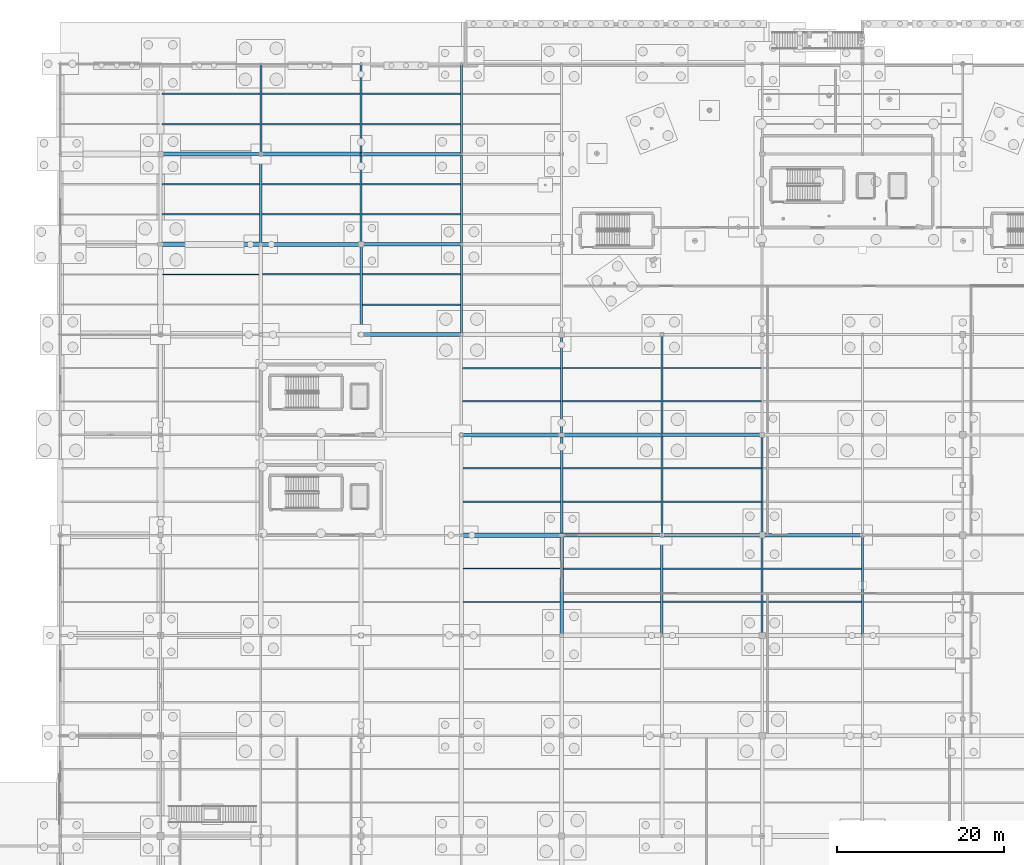
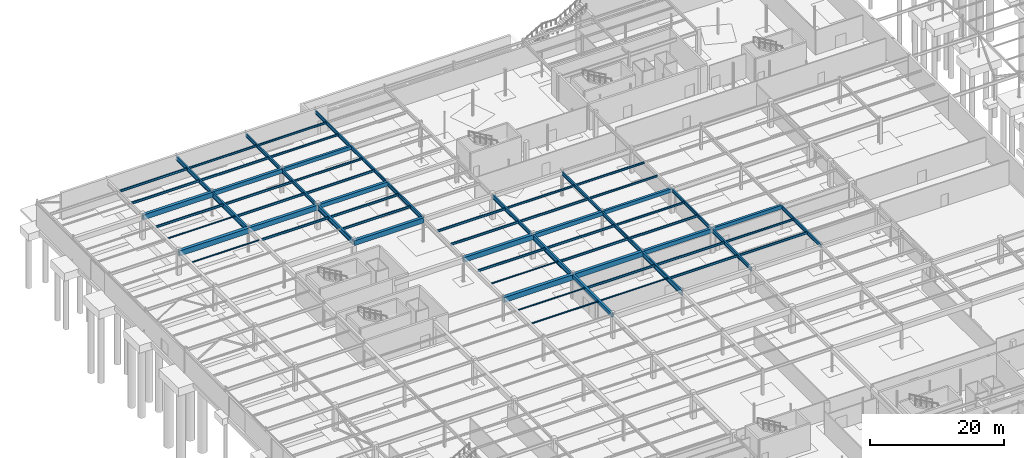
# One storey, part 82 of 136: 67 beams.
"""IFC4 building model written with IfcOpenShell, lengths in metres."""

import ifcopenshell
import ifcopenshell.guid

model = None  # the IFC model being written
_history = None  # IfcOwnerHistory: only IFC2X3 demands one
_inside = {}  # id of a spatial element -> (the spatial element, [elements in it])
_under = {}  # id of a project, library or spatial element -> (it, [spatial elements below it])
_declared = {}  # id of a project -> (the project, [libraries it declares])
_typed = {}  # id of a type object -> (the type object, [elements of that type])
_made_of = {}  # id of a material, layer set ... -> (it, [elements and type objects made of it])


def new_model(schema):
    """Start an empty IFC model of exactly this schema.

    Asked for "IFC4X3", IfcOpenShell would pick the latest addendum, in which some entities
    have other attributes; the version numbers below select the first issue.
    IFC2X3 requires an IfcOwnerHistory on every rooted entity: one is made here for all.
    """
    global model, _history
    if schema == "IFC4X3":
        model = ifcopenshell.file(schema_version=(4, 3, 0, 0))
    else:
        model = ifcopenshell.file(schema=schema)
    _inside.clear()
    _under.clear()
    _declared.clear()
    _typed.clear()
    _made_of.clear()
    _history = None
    if model.schema == "IFC2X3":
        org = make("IfcOrganization", Name="unknown")
        user = make(
            "IfcPersonAndOrganization",
            ThePerson=make("IfcPerson", FamilyName="unknown"),
            TheOrganization=org,
        )
        app = make(
            "IfcApplication",
            ApplicationDeveloper=org,
            Version="unknown",
            ApplicationFullName="unknown",
            ApplicationIdentifier="unknown",
        )
        _history = make(
            "IfcOwnerHistory",
            OwningUser=user,
            OwningApplication=app,
            ChangeAction="ADDED",
            CreationDate=0,
        )
    return model


def make(cls, **values):
    """One entity of the class cls with the attributes given. An attribute that is None is left unset."""
    return model.create_entity(
        cls, **{name: value for name, value in values.items() if value is not None}
    )


def rooted(cls, **values):
    """An entity with a GlobalId (a new one), such as an element, a storey or a relation."""
    return make(cls, GlobalId=ifcopenshell.guid.new(), OwnerHistory=_history, **values)


def si_unit(unit_type, name, prefix=None):
    """IfcSIUnit, for example si_unit("LENGTHUNIT", "METRE", prefix="MILLI")."""
    return make("IfcSIUnit", UnitType=unit_type, Prefix=prefix, Name=name)


def assignment(units):
    """IfcUnitAssignment: the units of a project."""
    return None if units is None else make("IfcUnitAssignment", Units=units)


def point(xyz):
    """IfcCartesianPoint."""
    return None if xyz is None else make("IfcCartesianPoint", Coordinates=xyz)


def direction(xyz):
    """IfcDirection."""
    return None if xyz is None else make("IfcDirection", DirectionRatios=xyz)


def frame(location, z_axis=None, x_axis=None):
    """IfcAxis2Placement3D, a coordinate frame: its origin and axes. An axis left out is left unset."""
    return make(
        "IfcAxis2Placement3D",
        Location=point(location),
        Axis=direction(z_axis),
        RefDirection=direction(x_axis),
    )


def frame_2d(location, x_axis=None):
    """IfcAxis2Placement2D, a coordinate frame in the plane: its origin and x axis."""
    return make(
        "IfcAxis2Placement2D", Location=point(location), RefDirection=direction(x_axis)
    )


def origin():
    """The frame at (0, 0, 0) with its axes left unset."""
    return frame((0.0, 0.0, 0.0))


def origin_2d():
    """The frame at (0, 0) in the plane with its x axis left unset."""
    return frame_2d((0.0, 0.0))


def place(relative_to, where):
    """IfcLocalPlacement: puts the frame where relative to a parent placement (None: the world)."""
    return make(
        "IfcLocalPlacement", PlacementRelTo=relative_to, RelativePlacement=where
    )


def context(
    kind, dimensions, precision=None, world=None, true_north=None, identifier=None
):
    """IfcGeometricRepresentationContext, for example the 3D "Model" context."""
    return make(
        "IfcGeometricRepresentationContext",
        ContextIdentifier=identifier,
        ContextType=kind,
        CoordinateSpaceDimension=dimensions,
        Precision=precision,
        WorldCoordinateSystem=world,
        TrueNorth=true_north,
    )


def subcontext(parent, identifier, kind, view, scale=None):
    """IfcGeometricRepresentationSubContext, for example "Body" below "Model"."""
    return make(
        "IfcGeometricRepresentationSubContext",
        ContextIdentifier=identifier,
        ContextType=kind,
        ParentContext=parent,
        TargetScale=scale,
        TargetView=view,
    )


def project(units=None, contexts=None):
    """IfcProject with its units and contexts."""
    return rooted(
        "IfcProject",
        Name="project",
        RepresentationContexts=contexts,
        UnitsInContext=assignment(units),
    )


def spatial(cls, under=None, at=None, **own):
    """A site, building, storey or space (cls), placed at a placement, below another one or the project."""
    s = rooted(cls, ObjectPlacement=at, **own)
    if under is not None:
        _under.setdefault(under.id(), (under, []))[1].append(s)
    return s


def profile(cls, at=None, kind="AREA", **sizes):
    """A parametric profile (cls). Its sizes go by their IFC names, for example OverallWidth=200.0."""
    return make(cls, ProfileType=kind, Position=at, **sizes)


def rectangle(**sizes):
    """IfcRectangleProfileDef."""
    return profile("IfcRectangleProfileDef", **sizes)


def i_section(**sizes):
    """IfcIShapeProfileDef."""
    return profile("IfcIShapeProfileDef", **sizes)


def extrude(swept, where, along, depth):
    """IfcExtrudedAreaSolid: the profile swept, set in the frame where, extruded along a direction by depth."""
    return make(
        "IfcExtrudedAreaSolid",
        SweptArea=swept,
        Position=where,
        ExtrudedDirection=direction(along),
        Depth=depth,
    )


def shape(context_of_items, identifier, shape_type, items):
    """IfcShapeRepresentation: the items that make up one representation, for example the "Body"."""
    return make(
        "IfcShapeRepresentation",
        ContextOfItems=context_of_items,
        RepresentationIdentifier=identifier,
        RepresentationType=shape_type,
        Items=items,
    )


def material(Name=None, Category=None):
    """IfcMaterial."""
    return make("IfcMaterial", Name=Name, Category=Category)


def material_profile(
    of_material, cross_section, Name=None, Category=None, Priority=None
):
    """IfcMaterialProfile: a cross section and its material."""
    return make(
        "IfcMaterialProfile",
        Name=Name,
        Material=of_material,
        Profile=cross_section,
        Priority=Priority,
        Category=Category,
    )


def profile_set(profiles, Name=None, composite=None):
    """IfcMaterialProfileSet."""
    return make(
        "IfcMaterialProfileSet",
        Name=Name,
        MaterialProfiles=profiles,
        CompositeProfile=composite,
    )


def made_of(thing, what):
    """Note that an element or type object is made of a material, layer set ...; save() writes the relation."""
    if what is not None:
        _made_of.setdefault(what.id(), (what, []))[1].append(thing)
    return thing


def type_object(cls, material=None, **own):
    """A type object (cls), such as IfcWallType, which elements share."""
    return made_of(rooted(cls, **own), material)


def element(
    cls,
    number,
    at=None,
    inside=None,
    cuts=None,
    type_object=None,
    material=None,
    context=None,
    identifier="Body",
    shape_type=None,
    held_by="IfcProductDefinitionShape",
    body=None,
    shapes=None,
    **own,
):
    """One element of the class cls, such as IfcWall. Its Tag is "e" and its number.

    at: its placement. inside: the storey or other place that contains it. cuts: it is an
    opening in that element (IfcRelVoidsElement). A single representation is given by context,
    identifier, shape_type and body (its items); several are given by shapes. held_by: the class
    of the entity that holds the representations. save() writes the other relations.
    """
    e = rooted(cls, Tag="e%d" % number, ObjectPlacement=at, **own)
    if body is not None:
        shapes = [shape(context, identifier, shape_type, body)]
    if shapes is not None:
        e.Representation = make(held_by, Representations=shapes)
    if inside is not None:
        _inside.setdefault(inside.id(), (inside, []))[1].append(e)
    if cuts is not None:
        rooted(
            "IfcRelVoidsElement", RelatingBuildingElement=cuts, RelatedOpeningElement=e
        )
    if type_object is not None:
        _typed.setdefault(type_object.id(), (type_object, []))[1].append(e)
    return made_of(e, material)


def aggregate(whole, parts):
    """IfcRelAggregates: a whole, such as a stair, and the parts it consists of."""
    return rooted("IfcRelAggregates", RelatingObject=whole, RelatedObjects=parts)


def save(model, path):
    """Write the relations noted so far, then the file.

    IfcRelAggregates (storeys below a building ...), IfcRelContainedInSpatialStructure (elements
    in a storey), IfcRelDefinesByType, IfcRelAssociatesMaterial and IfcRelDeclares: one each for
    every whole, place, type object, material and project.
    """
    for whole, parts in _under.values():
        aggregate(whole, parts)
    for where, things in _inside.values():
        rooted(
            "IfcRelContainedInSpatialStructure",
            RelatedElements=things,
            RelatingStructure=where,
        )
    for kind, things in _typed.values():
        rooted("IfcRelDefinesByType", RelatedObjects=things, RelatingType=kind)
    for what, things in _made_of.values():
        rooted("IfcRelAssociatesMaterial", RelatedObjects=things, RelatingMaterial=what)
    for by, libraries in _declared.values():
        rooted("IfcRelDeclares", RelatingContext=by, RelatedDefinitions=libraries)
    model.write(path)


model = new_model("IFC4")

# Units and contexts
model_context = context("Model", 3, precision=1e-05, world=origin(), true_north=direction((0.0, 1.0)))
body_context = subcontext(model_context, "Body", "Model", "MODEL_VIEW")
ifc_project = project(units=[si_unit("LENGTHUNIT", "METRE"), si_unit("AREAUNIT", "SQUARE_METRE"), si_unit("VOLUMEUNIT", "CUBIC_METRE"), si_unit("PLANEANGLEUNIT", "RADIAN"), si_unit("MASSUNIT", "GRAM", prefix="KILO")], contexts=[model_context])

# Site, building, storey
site_placement = place(None, origin())
site = spatial("IfcSite", under=ifc_project, at=site_placement, CompositionType="ELEMENT")
building_placement = place(site_placement, origin())
building = spatial("IfcBuilding", under=site, at=building_placement, Name="Tarnwether General Hospital", CompositionType="ELEMENT")
storey_placement = place(building_placement, frame((0.0, 0.0, -4.800048828125)))
storey = spatial("IfcBuildingStorey", under=building, at=storey_placement, Name="LG", CompositionType="ELEMENT", Elevation=-4.800048828125)

# Beams
ifc_material_1 = material(Name="Steel Grade 350 (350 MPa)", Category="steel")
ifc_material_profile_1 = material_profile(ifc_material_1, i_section(OverallWidth=0.300048828125, OverallDepth=0.89990234375, WebThickness=0.011962890625, FlangeThickness=0.02001953125, at=origin_2d()), Name="900WB175")
ifc_profile_set_1 = profile_set([ifc_material_profile_1], Name="Steel Grade 350 (350 MPa)")
beam_type_1 = type_object("IfcBeamType", Name="BM-G01", PredefinedType="BEAM", material=ifc_profile_set_1)
beam_1_placement = place(storey_placement, frame((24.0, 104.39990234375, 3.97998046875), z_axis=(0.0, 1.0, 0.0), x_axis=(-1.0, 0.0, 0.0)))
element("IfcBeam", 1, at=beam_1_placement, inside=storey, type_object=beam_type_1, Name="Primary Girder BMG-LG-2400_10440-2400_11520-0074", PredefinedType="BEAM", context=body_context, shape_type="SweptSolid", body=[
    extrude(i_section(OverallWidth=0.300048828125, OverallDepth=0.89990234375, WebThickness=0.011962890625, FlangeThickness=0.02001953125, at=origin_2d()), origin(), (0.0, 0.0, 1.0), 10.800048828125),
])
beam_2_placement = place(storey_placement, frame((36.0, 93.60009765625, 3.97998046875), z_axis=(0.0, 1.0, 0.0), x_axis=(-1.0, 0.0, 0.0)))
element("IfcBeam", 2, at=beam_2_placement, inside=storey, type_object=beam_type_1, Name="Primary Girder BMG-LG-3600_9360-3600_10440-0093", PredefinedType="BEAM", context=body_context, shape_type="SweptSolid", body=[
    extrude(i_section(OverallWidth=0.300048828125, OverallDepth=0.89990234375, WebThickness=0.011962890625, FlangeThickness=0.02001953125, at=origin_2d()), origin(), (0.0, 0.0, 1.0), 10.7998046875),
])
for number, where, z_axis, x_axis, name in (
    (3, (60.0, 69.60009765625, 3.97998046875), (0.0, 1.0, 0.0), (-1.0, 0.0, 0.0), "Primary Girder BMG-LG-6000_6960-6000_8160-0133"),
    (4, (72.0, 57.60009765625, 3.97998046875), (0.0, 1.0, 0.0), (-1.0, 0.0, 0.0), "Primary Girder BMG-LG-7200_5760-7200_6960-0147"),
):
    element("IfcBeam", number, at=place(storey_placement, frame(where, z_axis=z_axis, x_axis=x_axis)), inside=storey, type_object=beam_type_1, Name=name, PredefinedType="BEAM", context=body_context, shape_type="SweptSolid", body=[
        extrude(i_section(OverallWidth=0.300048828125, OverallDepth=0.89990234375, WebThickness=0.011962890625, FlangeThickness=0.02001953125, at=origin_2d()), origin(), (0.0, 0.0, 1.0), 12.0),
    ])
ifc_material_2 = material(Name="Steel Grade 350 (350 MPa)", Category="steel")
ifc_material_profile_2 = material_profile(ifc_material_2, i_section(OverallWidth=0.25, OverallDepth=0.69189453125, WebThickness=0.009033203125, FlangeThickness=0.01611328125, at=origin_2d()), Name="700WB115")
ifc_profile_set_2 = profile_set([ifc_material_profile_2], Name="Steel Grade 350 (350 MPa)")
beam_type_2 = type_object("IfcBeamType", Name="BM-G02", PredefinedType="BEAM", material=ifc_profile_set_2)
for number, where, z_axis, x_axis, name in (
    (5, (24.0, 115.199951171875, 4.083984375), (0.0, 1.0, 0.0), (-1.0, 0.0, 0.0), "Primary Girder BMG-LG-2400_11520-2400_12600-0076"),
    (6, (36.0, 104.39990234375, 4.083984375), (0.0, 1.0, 0.0), (-1.0, 0.0, 0.0), "Primary Girder BMG-LG-3600_10440-3600_11520-0095"),
):
    element("IfcBeam", number, at=place(storey_placement, frame(where, z_axis=z_axis, x_axis=x_axis)), inside=storey, type_object=beam_type_2, Name=name, PredefinedType="BEAM", context=body_context, shape_type="SweptSolid", body=[
        extrude(i_section(OverallWidth=0.25, OverallDepth=0.69189453125, WebThickness=0.009033203125, FlangeThickness=0.01611328125, at=origin_2d()), origin(), (0.0, 0.0, 1.0), 10.800048828125),
    ])
beam_3_placement = place(storey_placement, frame((48.0, 93.60009765625, 4.083984375), z_axis=(0.0, 1.0, 0.0), x_axis=(-1.0, 0.0, 0.0)))
element("IfcBeam", 7, at=beam_3_placement, inside=storey, type_object=beam_type_2, Name="Primary Girder BMG-LG-4800_9360-4800_10440-0116", PredefinedType="BEAM", context=body_context, shape_type="SweptSolid", body=[
    extrude(i_section(OverallWidth=0.25, OverallDepth=0.69189453125, WebThickness=0.009033203125, FlangeThickness=0.01611328125, at=origin_2d()), origin(), (0.0, 0.0, 1.0), 10.7998046875),
])
for number, where, z_axis, x_axis, name in (
    (8, (60.0, 81.60009765625, 4.083984375), (0.0, 1.0, 0.0), (-1.0, 0.0, 0.0), "Primary Girder BMG-LG-6000_8160-6000_9360-0135"),
    (9, (72.0, 69.60009765625, 4.083984375), (0.0, 1.0, 0.0), (-1.0, 0.0, 0.0), "Primary Girder BMG-LG-7200_6960-7200_8160-0149"),
    (10, (84.0, 57.60009765625, 4.083984375), (0.0, 1.0, 0.0), (-1.0, 0.0, 0.0), "Primary Girder BMG-LG-8400_5760-8400_6960-0164"),
):
    element("IfcBeam", number, at=place(storey_placement, frame(where, z_axis=z_axis, x_axis=x_axis)), inside=storey, type_object=beam_type_2, Name=name, PredefinedType="BEAM", context=body_context, shape_type="SweptSolid", body=[
        extrude(i_section(OverallWidth=0.25, OverallDepth=0.69189453125, WebThickness=0.009033203125, FlangeThickness=0.01611328125, at=origin_2d()), origin(), (0.0, 0.0, 1.0), 12.0),
    ])
ifc_material_3 = material(Name="Steel Grade 350 (350 MPa)", Category="steel")
ifc_material_profile_3 = material_profile(ifc_material_3, i_section(OverallWidth=0.22900390625, OverallDepth=0.612060546875, WebThickness=0.011962890625, FlangeThickness=0.01953125, at=origin_2d()), Name="610UB125")
ifc_profile_set_3 = profile_set([ifc_material_profile_3], Name="Steel Grade 350 (350 MPa)")
beam_type_3 = type_object("IfcBeamType", Name="BM-G03", PredefinedType="BEAM", material=ifc_profile_set_3)
for number, where, z_axis, x_axis, name in (
    (11, (36.0, 115.199951171875, 4.1240234375), (0.0, 1.0, 0.0), (-1.0, 0.0, 0.0), "Primary Girder BMG-LG-3600_11520-3600_12600-0097"),
    (12, (48.0, 104.39990234375, 4.1240234375), (0.0, 1.0, 0.0), (-1.0, 0.0, 0.0), "Primary Girder BMG-LG-4800_10440-4800_11520-0118"),
):
    element("IfcBeam", number, at=place(storey_placement, frame(where, z_axis=z_axis, x_axis=x_axis)), inside=storey, type_object=beam_type_3, Name=name, PredefinedType="BEAM", context=body_context, shape_type="SweptSolid", body=[
        extrude(i_section(OverallWidth=0.22900390625, OverallDepth=0.612060546875, WebThickness=0.011962890625, FlangeThickness=0.01953125, at=origin_2d()), origin(), (0.0, 0.0, 1.0), 10.800048828125),
    ])
for number, where, z_axis, x_axis, name in (
    (13, (72.0, 81.60009765625, 4.1240234375), (0.0, 1.0, 0.0), (-1.0, 0.0, 0.0), "Primary Girder BMG-LG-7200_8160-7200_9360-0151"),
    (14, (84.0, 69.60009765625, 4.1240234375), (0.0, 1.0, 0.0), (-1.0, 0.0, 0.0), "Primary Girder BMG-LG-8400_6960-8400_8160-0166"),
    (15, (96.0, 57.60009765625, 4.1240234375), (0.0, 1.0, 0.0), (-1.0, 0.0, 0.0), "Primary Girder BMG-LG-9600_5760-9600_6960-0183"),
):
    element("IfcBeam", number, at=place(storey_placement, frame(where, z_axis=z_axis, x_axis=x_axis)), inside=storey, type_object=beam_type_3, Name=name, PredefinedType="BEAM", context=body_context, shape_type="SweptSolid", body=[
        extrude(i_section(OverallWidth=0.22900390625, OverallDepth=0.612060546875, WebThickness=0.011962890625, FlangeThickness=0.01953125, at=origin_2d()), origin(), (0.0, 0.0, 1.0), 12.0),
    ])
ifc_material_4 = material(Name="Steel Grade 350 (350 MPa)", Category="steel")
ifc_material_profile_4 = material_profile(ifc_material_4, i_section(OverallWidth=0.22802734375, OverallDepth=0.60693359375, WebThickness=0.01123046875, FlangeThickness=0.017333984375, at=origin_2d()), Name="610UB113")
ifc_profile_set_4 = profile_set([ifc_material_profile_4], Name="Steel Grade 350 (350 MPa)")
beam_type_4 = type_object("IfcBeamType", Name="BM-G04", PredefinedType="BEAM", material=ifc_profile_set_4)
beam_4_placement = place(storey_placement, frame((48.0, 115.199951171875, 4.12646484375), z_axis=(0.0, 1.0, 0.0), x_axis=(-1.0, 0.0, 0.0)))
element("IfcBeam", 16, at=beam_4_placement, inside=storey, type_object=beam_type_4, Name="Primary Girder BMG-LG-4800_11520-4800_12600-0120", PredefinedType="BEAM", context=body_context, shape_type="SweptSolid", body=[
    extrude(i_section(OverallWidth=0.22802734375, OverallDepth=0.60693359375, WebThickness=0.01123046875, FlangeThickness=0.017333984375, at=origin_2d()), origin(), (0.0, 0.0, 1.0), 10.800048828125),
])
ifc_material_5 = material(Name="Concrete 40 MPa", Category="concrete")
ifc_material_profile_5 = material_profile(ifc_material_5, rectangle(XDim=0.550048828125, YDim=0.949951171875, at=origin_2d()), Name="RC-BM-550x950")
ifc_profile_set_5 = profile_set([ifc_material_profile_5], Name="Concrete 40 MPa")
beam_type_5 = type_object("IfcBeamType", Name="BM-G11", PredefinedType="BEAM", material=ifc_profile_set_5)
for number, where, z_axis, x_axis, name in (
    (17, (12.0, 104.39990234375, 3.955078125), (1.0, 0.0, 0.0), (0.0, 1.0, 0.0), "Primary Girder BMG-LG-1200_10440-2400_10440-0050"),
    (18, (48.0, 69.60009765625, 3.955078125), (1.0, 0.0, 0.0), (0.0, 1.0, 0.0), "Primary Girder BMG-LG-4800_6960-6000_6960-0111"),
):
    element("IfcBeam", number, at=place(storey_placement, frame(where, z_axis=z_axis, x_axis=x_axis)), inside=storey, type_object=beam_type_5, Name=name, PredefinedType="BEAM", context=body_context, shape_type="SweptSolid", body=[
        extrude(rectangle(XDim=0.550048828125, YDim=0.949951171875, at=origin_2d()), origin(), (0.0, 0.0, 1.0), 12.0),
    ])
ifc_material_6 = material(Name="Concrete 40 MPa", Category="concrete")
ifc_material_profile_6 = material_profile(ifc_material_6, rectangle(XDim=0.5, YDim=0.89990234375, at=origin_2d()), Name="RC-BM-500x900")
ifc_profile_set_6 = profile_set([ifc_material_profile_6], Name="Concrete 40 MPa")
beam_type_6 = type_object("IfcBeamType", Name="BM-G12", PredefinedType="BEAM", material=ifc_profile_set_6)
for number, where, z_axis, x_axis, name in (
    (19, (12.0, 115.199951171875, 3.97998046875), (1.0, 0.0, 0.0), (0.0, 1.0, 0.0), "Primary Girder BMG-LG-1200_11520-2400_11520-0052"),
    (20, (24.0, 104.39990234375, 3.97998046875), (1.0, 0.0, 0.0), (0.0, 1.0, 0.0), "Primary Girder BMG-LG-2400_10440-3600_10440-0073"),
    (21, (36.0, 93.60009765625, 3.97998046875), (1.0, 0.0, 0.0), (0.0, 1.0, 0.0), "Primary Girder BMG-LG-3600_9360-4800_9360-0092"),
    (22, (48.0, 81.60009765625, 3.97998046875), (1.0, 0.0, 0.0), (0.0, 1.0, 0.0), "Primary Girder BMG-LG-4800_8160-6000_8160-0113"),
    (23, (60.0, 69.60009765625, 3.97998046875), (1.0, 0.0, 0.0), (0.0, 1.0, 0.0), "Primary Girder BMG-LG-6000_6960-7200_6960-0132"),
):
    element("IfcBeam", number, at=place(storey_placement, frame(where, z_axis=z_axis, x_axis=x_axis)), inside=storey, type_object=beam_type_6, Name=name, PredefinedType="BEAM", context=body_context, shape_type="SweptSolid", body=[
        extrude(rectangle(XDim=0.5, YDim=0.89990234375, at=origin_2d()), origin(), (0.0, 0.0, 1.0), 12.0),
    ])
ifc_material_7 = material(Name="Concrete 40 MPa", Category="concrete")
ifc_material_profile_7 = material_profile(ifc_material_7, rectangle(XDim=0.449951171875, YDim=0.75, at=origin_2d()), Name="RC-BM-450x750")
ifc_profile_set_7 = profile_set([ifc_material_profile_7], Name="Concrete 40 MPa")
beam_type_7 = type_object("IfcBeamType", Name="BM-G13", PredefinedType="BEAM", material=ifc_profile_set_7)
for number, where, z_axis, x_axis, name in (
    (24, (24.0, 115.199951171875, 4.054931640625), (1.0, 0.0, 0.0), (0.0, 1.0, 0.0), "Primary Girder BMG-LG-2400_11520-3600_11520-0075"),
    (25, (36.0, 104.39990234375, 4.054931640625), (1.0, 0.0, 0.0), (0.0, 1.0, 0.0), "Primary Girder BMG-LG-3600_10440-4800_10440-0094"),
    (26, (60.0, 81.60009765625, 4.054931640625), (1.0, 0.0, 0.0), (0.0, 1.0, 0.0), "Primary Girder BMG-LG-6000_8160-7200_8160-0134"),
    (27, (72.0, 69.60009765625, 4.054931640625), (1.0, 0.0, 0.0), (0.0, 1.0, 0.0), "Primary Girder BMG-LG-7200_6960-8400_6960-0148"),
):
    element("IfcBeam", number, at=place(storey_placement, frame(where, z_axis=z_axis, x_axis=x_axis)), inside=storey, type_object=beam_type_7, Name=name, PredefinedType="BEAM", context=body_context, shape_type="SweptSolid", body=[
        extrude(rectangle(XDim=0.449951171875, YDim=0.75, at=origin_2d()), origin(), (0.0, 0.0, 1.0), 12.0),
    ])
ifc_material_8 = material(Name="Concrete 40 MPa", Category="concrete")
ifc_material_profile_8 = material_profile(ifc_material_8, rectangle(XDim=0.39990234375, YDim=0.64990234375, at=origin_2d()), Name="RC-BM-400x650")
ifc_profile_set_8 = profile_set([ifc_material_profile_8], Name="Concrete 40 MPa")
beam_type_8 = type_object("IfcBeamType", Name="BM-G14", PredefinedType="BEAM", material=ifc_profile_set_8)
for number, where, z_axis, x_axis, name in (
    (28, (36.0, 115.199951171875, 4.10498046875), (1.0, 0.0, 0.0), (0.0, 1.0, 0.0), "Primary Girder BMG-LG-3600_11520-4800_11520-0096"),
    (29, (60.0, 57.60009765625, 4.10498046875), (0.0, 1.0, 0.0), (-1.0, 0.0, 0.0), "Primary Girder BMG-LG-6000_5760-6000_6960-0131"),
    (30, (72.0, 81.60009765625, 4.10498046875), (1.0, 0.0, 0.0), (0.0, 1.0, 0.0), "Primary Girder BMG-LG-7200_8160-8400_8160-0150"),
    (31, (84.0, 69.60009765625, 4.10498046875), (1.0, 0.0, 0.0), (0.0, 1.0, 0.0), "Primary Girder BMG-LG-8400_6960-9600_6960-0165"),
):
    element("IfcBeam", number, at=place(storey_placement, frame(where, z_axis=z_axis, x_axis=x_axis)), inside=storey, type_object=beam_type_8, Name=name, PredefinedType="BEAM", context=body_context, shape_type="SweptSolid", body=[
        extrude(rectangle(XDim=0.39990234375, YDim=0.64990234375, at=origin_2d()), origin(), (0.0, 0.0, 1.0), 12.0),
    ])
ifc_material_9 = material(Name="Steel Grade 350 (350 MPa)", Category="steel")
ifc_material_profile_9 = material_profile(ifc_material_9, i_section(OverallWidth=0.177978515625, OverallDepth=0.406005859375, WebThickness=0.0078125, FlangeThickness=0.0126953125, at=origin_2d()), Name="410UB59.7")
ifc_profile_set_9 = profile_set([ifc_material_profile_9], Name="Steel Grade 350 (350 MPa)")
beam_type_9 = type_object("IfcBeamType", Name="BM-J01", PredefinedType="JOIST", material=ifc_profile_set_9)
beam_5_placement = place(storey_placement, frame((12.194091796875, 111.60009765625, 4.22705078125), z_axis=(1.0, 0.0, 0.0), x_axis=(0.0, 1.0, 0.0)))
element("IfcBeam", 32, at=beam_5_placement, inside=storey, type_object=beam_type_9, Name="Composite Floor Joist BMG-LG-1219_11160-2386_11160-0374", PredefinedType="JOIST", context=body_context, shape_type="SweptSolid", body=[
    extrude(i_section(OverallWidth=0.177978515625, OverallDepth=0.406005859375, WebThickness=0.0078125, FlangeThickness=0.0126953125, at=origin_2d()), origin(), (0.0, 0.0, 1.0), 11.661865234375),
])
beam_6_placement = place(storey_placement, frame((12.14404296875, 118.800048828125, 4.22705078125), z_axis=(1.0, 0.0, 0.0), x_axis=(0.0, 1.0, 0.0)))
element("IfcBeam", 33, at=beam_6_placement, inside=storey, type_object=beam_type_9, Name="Composite Floor Joist BMG-LG-1214_11880-2388_11880-0375", PredefinedType="JOIST", context=body_context, shape_type="SweptSolid", body=[
    extrude(i_section(OverallWidth=0.177978515625, OverallDepth=0.406005859375, WebThickness=0.0078125, FlangeThickness=0.0126953125, at=origin_2d()), origin(), (0.0, 0.0, 1.0), 11.737060546875),
])
beam_7_placement = place(storey_placement, frame((24.194091796875, 100.800048828125, 4.22705078125), z_axis=(1.0, 0.0, 0.0), x_axis=(0.0, 1.0, 0.0)))
element("IfcBeam", 34, at=beam_7_placement, inside=storey, type_object=beam_type_9, Name="Composite Floor Joist BMG-LG-2419_10080-3586_10080-0390", PredefinedType="JOIST", context=body_context, shape_type="SweptSolid", body=[
    extrude(i_section(OverallWidth=0.177978515625, OverallDepth=0.406005859375, WebThickness=0.0078125, FlangeThickness=0.0126953125, at=origin_2d()), origin(), (0.0, 0.0, 1.0), 11.661865234375),
])
for number, where, z_axis, x_axis, name in (
    (35, (24.14404296875, 108.0, 4.22705078125), (1.0, 0.0, 0.0), (0.0, 1.0, 0.0), "Composite Floor Joist BMG-LG-2414_10800-3588_10800-0391"),
    (36, (36.14404296875, 97.199951171875, 4.22705078125), (1.0, 0.0, 0.0), (0.0, 1.0, 0.0), "Composite Floor Joist BMG-LG-3614_9720-4788_9720-0407"),
):
    element("IfcBeam", number, at=place(storey_placement, frame(where, z_axis=z_axis, x_axis=x_axis)), inside=storey, type_object=beam_type_9, Name=name, PredefinedType="JOIST", context=body_context, shape_type="SweptSolid", body=[
        extrude(i_section(OverallWidth=0.177978515625, OverallDepth=0.406005859375, WebThickness=0.0078125, FlangeThickness=0.0126953125, at=origin_2d()), origin(), (0.0, 0.0, 1.0), 11.737060546875),
    ])
beam_8_placement = place(storey_placement, frame((48.194091796875, 77.60009765625, 4.22705078125), z_axis=(1.0, 0.0, 0.0), x_axis=(0.0, 1.0, 0.0)))
element("IfcBeam", 37, at=beam_8_placement, inside=storey, type_object=beam_type_9, Name="Composite Floor Joist BMG-LG-4819_7760-5986_7760-0426", PredefinedType="JOIST", context=body_context, shape_type="SweptSolid", body=[
    extrude(i_section(OverallWidth=0.177978515625, OverallDepth=0.406005859375, WebThickness=0.0078125, FlangeThickness=0.0126953125, at=origin_2d()), origin(), (0.0, 0.0, 1.0), 11.661865234375),
])
beam_9_placement = place(storey_placement, frame((48.14404296875, 85.60009765625, 4.22705078125), z_axis=(1.0, 0.0, 0.0), x_axis=(0.0, 1.0, 0.0)))
element("IfcBeam", 38, at=beam_9_placement, inside=storey, type_object=beam_type_9, Name="Composite Floor Joist BMG-LG-4814_8560-5988_8560-0427", PredefinedType="JOIST", context=body_context, shape_type="SweptSolid", body=[
    extrude(i_section(OverallWidth=0.177978515625, OverallDepth=0.406005859375, WebThickness=0.0078125, FlangeThickness=0.0126953125, at=origin_2d()), origin(), (0.0, 0.0, 1.0), 11.737060546875),
])
beam_10_placement = place(storey_placement, frame((60.194091796875, 65.60009765625, 4.22705078125), z_axis=(1.0, 0.0, 0.0), x_axis=(0.0, 1.0, 0.0)))
element("IfcBeam", 39, at=beam_10_placement, inside=storey, type_object=beam_type_9, Name="Composite Floor Joist BMG-LG-6019_6560-7186_6560-0440", PredefinedType="JOIST", context=body_context, shape_type="SweptSolid", body=[
    extrude(i_section(OverallWidth=0.177978515625, OverallDepth=0.406005859375, WebThickness=0.0078125, FlangeThickness=0.0126953125, at=origin_2d()), origin(), (0.0, 0.0, 1.0), 11.661865234375),
])
for number, where, z_axis, x_axis, name in (
    (40, (60.14404296875, 73.60009765625, 4.22705078125), (1.0, 0.0, 0.0), (0.0, 1.0, 0.0), "Composite Floor Joist BMG-LG-6014_7360-7188_7360-0441"),
    (41, (72.14404296875, 61.60009765625, 4.22705078125), (1.0, 0.0, 0.0), (0.0, 1.0, 0.0), "Composite Floor Joist BMG-LG-7214_6160-8388_6160-0449"),
):
    element("IfcBeam", number, at=place(storey_placement, frame(where, z_axis=z_axis, x_axis=x_axis)), inside=storey, type_object=beam_type_9, Name=name, PredefinedType="JOIST", context=body_context, shape_type="SweptSolid", body=[
        extrude(i_section(OverallWidth=0.177978515625, OverallDepth=0.406005859375, WebThickness=0.0078125, FlangeThickness=0.0126953125, at=origin_2d()), origin(), (0.0, 0.0, 1.0), 11.737060546875),
    ])
ifc_material_10 = material(Name="Steel Grade 350 (350 MPa)", Category="steel")
ifc_material_profile_10 = material_profile(ifc_material_10, i_section(OverallWidth=0.177978515625, OverallDepth=0.403076171875, WebThickness=0.007568359375, FlangeThickness=0.010986328125, at=origin_2d()), Name="410UB53.7")
ifc_profile_set_10 = profile_set([ifc_material_profile_10], Name="Steel Grade 350 (350 MPa)")
beam_type_10 = type_object("IfcBeamType", Name="BM-J02", PredefinedType="JOIST", material=ifc_profile_set_10)
for number, where, z_axis, x_axis, name in (
    (42, (12.14404296875, 122.39990234375, 4.228515625), (1.0, 0.0, 0.0), (0.0, 1.0, 0.0), "Composite Floor Joist BMG-LG-1214_12240-2388_12240-0376"),
    (43, (24.14404296875, 111.60009765625, 4.228515625), (1.0, 0.0, 0.0), (0.0, 1.0, 0.0), "Composite Floor Joist BMG-LG-2414_11160-3588_11160-0392"),
):
    element("IfcBeam", number, at=place(storey_placement, frame(where, z_axis=z_axis, x_axis=x_axis)), inside=storey, type_object=beam_type_10, Name=name, PredefinedType="JOIST", context=body_context, shape_type="SweptSolid", body=[
        extrude(i_section(OverallWidth=0.177978515625, OverallDepth=0.403076171875, WebThickness=0.007568359375, FlangeThickness=0.010986328125, at=origin_2d()), origin(), (0.0, 0.0, 1.0), 11.737060546875),
    ])
beam_11_placement = place(storey_placement, frame((24.118896484375, 118.800048828125, 4.228515625), z_axis=(1.0, 0.0, 0.0), x_axis=(0.0, 1.0, 0.0)))
element("IfcBeam", 44, at=beam_11_placement, inside=storey, type_object=beam_type_10, Name="Composite Floor Joist BMG-LG-2412_11880-3589_11880-0393", PredefinedType="JOIST", context=body_context, shape_type="SweptSolid", body=[
    extrude(i_section(OverallWidth=0.177978515625, OverallDepth=0.403076171875, WebThickness=0.007568359375, FlangeThickness=0.010986328125, at=origin_2d()), origin(), (0.0, 0.0, 1.0), 11.773193359375),
])
beam_12_placement = place(storey_placement, frame((36.14404296875, 100.800048828125, 4.228515625), z_axis=(1.0, 0.0, 0.0), x_axis=(0.0, 1.0, 0.0)))
element("IfcBeam", 45, at=beam_12_placement, inside=storey, type_object=beam_type_10, Name="Composite Floor Joist BMG-LG-3614_10080-4788_10080-0408", PredefinedType="JOIST", context=body_context, shape_type="SweptSolid", body=[
    extrude(i_section(OverallWidth=0.177978515625, OverallDepth=0.403076171875, WebThickness=0.007568359375, FlangeThickness=0.010986328125, at=origin_2d()), origin(), (0.0, 0.0, 1.0), 11.737060546875),
])
beam_13_placement = place(storey_placement, frame((36.118896484375, 108.0, 4.228515625), z_axis=(1.0, 0.0, 0.0), x_axis=(0.0, 1.0, 0.0)))
element("IfcBeam", 46, at=beam_13_placement, inside=storey, type_object=beam_type_10, Name="Composite Floor Joist BMG-LG-3612_10800-4789_10800-0409", PredefinedType="JOIST", context=body_context, shape_type="SweptSolid", body=[
    extrude(i_section(OverallWidth=0.177978515625, OverallDepth=0.403076171875, WebThickness=0.007568359375, FlangeThickness=0.010986328125, at=origin_2d()), origin(), (0.0, 0.0, 1.0), 11.773193359375),
])
for number, where, z_axis, x_axis, name in (
    (47, (48.14404296875, 89.60009765625, 4.228515625), (1.0, 0.0, 0.0), (0.0, 1.0, 0.0), "Composite Floor Joist BMG-LG-4814_8960-5988_8960-0428"),
    (48, (60.14404296875, 77.60009765625, 4.228515625), (1.0, 0.0, 0.0), (0.0, 1.0, 0.0), "Composite Floor Joist BMG-LG-6014_7760-7188_7760-0442"),
):
    element("IfcBeam", number, at=place(storey_placement, frame(where, z_axis=z_axis, x_axis=x_axis)), inside=storey, type_object=beam_type_10, Name=name, PredefinedType="JOIST", context=body_context, shape_type="SweptSolid", body=[
        extrude(i_section(OverallWidth=0.177978515625, OverallDepth=0.403076171875, WebThickness=0.007568359375, FlangeThickness=0.010986328125, at=origin_2d()), origin(), (0.0, 0.0, 1.0), 11.737060546875),
    ])
beam_14_placement = place(storey_placement, frame((60.118896484375, 85.60009765625, 4.228515625), z_axis=(1.0, 0.0, 0.0), x_axis=(0.0, 1.0, 0.0)))
element("IfcBeam", 49, at=beam_14_placement, inside=storey, type_object=beam_type_10, Name="Composite Floor Joist BMG-LG-6012_8560-7189_8560-0443", PredefinedType="JOIST", context=body_context, shape_type="SweptSolid", body=[
    extrude(i_section(OverallWidth=0.177978515625, OverallDepth=0.403076171875, WebThickness=0.007568359375, FlangeThickness=0.010986328125, at=origin_2d()), origin(), (0.0, 0.0, 1.0), 11.772216796875),
])
beam_15_placement = place(storey_placement, frame((72.14404296875, 65.60009765625, 4.228515625), z_axis=(1.0, 0.0, 0.0), x_axis=(0.0, 1.0, 0.0)))
element("IfcBeam", 50, at=beam_15_placement, inside=storey, type_object=beam_type_10, Name="Composite Floor Joist BMG-LG-7214_6560-8388_6560-0450", PredefinedType="JOIST", context=body_context, shape_type="SweptSolid", body=[
    extrude(i_section(OverallWidth=0.177978515625, OverallDepth=0.403076171875, WebThickness=0.007568359375, FlangeThickness=0.010986328125, at=origin_2d()), origin(), (0.0, 0.0, 1.0), 11.737060546875),
])
for number, where, z_axis, x_axis, name in (
    (51, (72.118896484375, 73.60009765625, 4.228515625), (1.0, 0.0, 0.0), (0.0, 1.0, 0.0), "Composite Floor Joist BMG-LG-7212_7360-8389_7360-0451"),
    (52, (84.118896484375, 61.60009765625, 4.228515625), (1.0, 0.0, 0.0), (0.0, 1.0, 0.0), "Composite Floor Joist BMG-LG-8412_6160-9589_6160-0461"),
):
    element("IfcBeam", number, at=place(storey_placement, frame(where, z_axis=z_axis, x_axis=x_axis)), inside=storey, type_object=beam_type_10, Name=name, PredefinedType="JOIST", context=body_context, shape_type="SweptSolid", body=[
        extrude(i_section(OverallWidth=0.177978515625, OverallDepth=0.403076171875, WebThickness=0.007568359375, FlangeThickness=0.010986328125, at=origin_2d()), origin(), (0.0, 0.0, 1.0), 11.772216796875),
    ])
ifc_material_11 = material(Name="Steel Grade 350 (350 MPa)", Category="steel")
ifc_material_profile_11 = material_profile(ifc_material_11, i_section(OverallWidth=0.172119140625, OverallDepth=0.35888671875, WebThickness=0.008056640625, FlangeThickness=0.012939453125, at=origin_2d()), Name="360UB56.7")
ifc_profile_set_11 = profile_set([ifc_material_profile_11], Name="Steel Grade 350 (350 MPa)")
beam_type_11 = type_object("IfcBeamType", Name="BM-J03", PredefinedType="JOIST", material=ifc_profile_set_11)
for number, where, z_axis, x_axis, name in (
    (53, (24.118896484375, 122.39990234375, 4.25048828125), (1.0, 0.0, 0.0), (0.0, 1.0, 0.0), "Composite Floor Joist BMG-LG-2412_12240-3589_12240-0394"),
    (54, (36.118896484375, 111.60009765625, 4.25048828125), (1.0, 0.0, 0.0), (0.0, 1.0, 0.0), "Composite Floor Joist BMG-LG-3612_11160-4789_11160-0410"),
):
    element("IfcBeam", number, at=place(storey_placement, frame(where, z_axis=z_axis, x_axis=x_axis)), inside=storey, type_object=beam_type_11, Name=name, PredefinedType="JOIST", context=body_context, shape_type="SweptSolid", body=[
        extrude(i_section(OverallWidth=0.172119140625, OverallDepth=0.35888671875, WebThickness=0.008056640625, FlangeThickness=0.012939453125, at=origin_2d()), origin(), (0.0, 0.0, 1.0), 11.773193359375),
    ])
beam_16_placement = place(storey_placement, frame((36.10791015625, 118.800048828125, 4.25048828125), z_axis=(1.0, 0.0, 0.0), x_axis=(0.0, 1.0, 0.0)))
element("IfcBeam", 55, at=beam_16_placement, inside=storey, type_object=beam_type_11, Name="Composite Floor Joist BMG-LG-3611_11880-4789_11880-0411", PredefinedType="JOIST", context=body_context, shape_type="SweptSolid", body=[
    extrude(i_section(OverallWidth=0.172119140625, OverallDepth=0.35888671875, WebThickness=0.008056640625, FlangeThickness=0.012939453125, at=origin_2d()), origin(), (0.0, 0.0, 1.0), 11.7841796875),
])
for number, where, z_axis, x_axis, name in (
    (56, (60.118896484375, 89.60009765625, 4.25048828125), (1.0, 0.0, 0.0), (0.0, 1.0, 0.0), "Composite Floor Joist BMG-LG-6012_8960-7189_8960-0444"),
    (57, (72.118896484375, 77.60009765625, 4.25048828125), (1.0, 0.0, 0.0), (0.0, 1.0, 0.0), "Composite Floor Joist BMG-LG-7212_7760-8389_7760-0452"),
):
    element("IfcBeam", number, at=place(storey_placement, frame(where, z_axis=z_axis, x_axis=x_axis)), inside=storey, type_object=beam_type_11, Name=name, PredefinedType="JOIST", context=body_context, shape_type="SweptSolid", body=[
        extrude(i_section(OverallWidth=0.172119140625, OverallDepth=0.35888671875, WebThickness=0.008056640625, FlangeThickness=0.012939453125, at=origin_2d()), origin(), (0.0, 0.0, 1.0), 11.772216796875),
    ])
beam_17_placement = place(storey_placement, frame((72.10888671875, 85.60009765625, 4.25048828125), z_axis=(1.0, 0.0, 0.0), x_axis=(0.0, 1.0, 0.0)))
element("IfcBeam", 58, at=beam_17_placement, inside=storey, type_object=beam_type_11, Name="Composite Floor Joist BMG-LG-7211_8560-8389_8560-0453", PredefinedType="JOIST", context=body_context, shape_type="SweptSolid", body=[
    extrude(i_section(OverallWidth=0.172119140625, OverallDepth=0.35888671875, WebThickness=0.008056640625, FlangeThickness=0.012939453125, at=origin_2d()), origin(), (0.0, 0.0, 1.0), 11.783203125),
])
beam_18_placement = place(storey_placement, frame((84.118896484375, 65.60009765625, 4.25048828125), z_axis=(1.0, 0.0, 0.0), x_axis=(0.0, 1.0, 0.0)))
element("IfcBeam", 59, at=beam_18_placement, inside=storey, type_object=beam_type_11, Name="Composite Floor Joist BMG-LG-8412_6560-9589_6560-0462", PredefinedType="JOIST", context=body_context, shape_type="SweptSolid", body=[
    extrude(i_section(OverallWidth=0.172119140625, OverallDepth=0.35888671875, WebThickness=0.008056640625, FlangeThickness=0.012939453125, at=origin_2d()), origin(), (0.0, 0.0, 1.0), 11.772216796875),
])
ifc_material_12 = material(Name="Steel Grade 350 (350 MPa)", Category="steel")
ifc_material_profile_12 = material_profile(ifc_material_12, i_section(OverallWidth=0.1708984375, OverallDepth=0.35595703125, WebThickness=0.00732421875, FlangeThickness=0.011474609375, at=origin_2d()), Name="360UB50.7")
ifc_profile_set_12 = profile_set([ifc_material_profile_12], Name="Steel Grade 350 (350 MPa)")
beam_type_12 = type_object("IfcBeamType", Name="BM-J04", PredefinedType="JOIST", material=ifc_profile_set_12)
beam_19_placement = place(storey_placement, frame((36.10791015625, 122.39990234375, 4.251953125), z_axis=(1.0, 0.0, 0.0), x_axis=(0.0, 1.0, 0.0)))
element("IfcBeam", 60, at=beam_19_placement, inside=storey, type_object=beam_type_12, Name="Composite Floor Joist BMG-LG-3611_12240-4789_12240-0412", PredefinedType="JOIST", context=body_context, shape_type="SweptSolid", body=[
    extrude(i_section(OverallWidth=0.1708984375, OverallDepth=0.35595703125, WebThickness=0.00732421875, FlangeThickness=0.011474609375, at=origin_2d()), origin(), (0.0, 0.0, 1.0), 11.7841796875),
])
beam_20_placement = place(storey_placement, frame((72.10888671875, 89.60009765625, 4.251953125), z_axis=(1.0, 0.0, 0.0), x_axis=(0.0, 1.0, 0.0)))
element("IfcBeam", 61, at=beam_20_placement, inside=storey, type_object=beam_type_12, Name="Composite Floor Joist BMG-LG-7211_8960-8389_8960-0454", PredefinedType="JOIST", context=body_context, shape_type="SweptSolid", body=[
    extrude(i_section(OverallWidth=0.1708984375, OverallDepth=0.35595703125, WebThickness=0.00732421875, FlangeThickness=0.011474609375, at=origin_2d()), origin(), (0.0, 0.0, 1.0), 11.783203125),
])
ifc_material_13 = material(Name="Steel Grade 350 (350 MPa)", Category="steel")
ifc_material_profile_13 = material_profile(ifc_material_13, i_section(OverallWidth=0.1240234375, OverallDepth=0.248046875, WebThickness=0.0048828125, FlangeThickness=0.008056640625, at=origin_2d()), Name="250UB25.7")
ifc_profile_set_13 = profile_set([ifc_material_profile_13], Name="Steel Grade 350 (350 MPa)")
beam_type_13 = type_object("IfcBeamType", Name="BM-J11", PredefinedType="JOIST", material=ifc_profile_set_13)
beam_21_placement = place(storey_placement, frame((48.218994140625, 61.60009765625, 4.30615234375), z_axis=(1.0, 0.0, 0.0), x_axis=(0.0, 1.0, 0.0)))
element("IfcBeam", 62, at=beam_21_placement, inside=storey, type_object=beam_type_13, Name="Composite Floor Joist BMG-LG-4822_6160-5981_6160-0423", PredefinedType="JOIST", context=body_context, shape_type="SweptSolid", body=[
    extrude(i_section(OverallWidth=0.1240234375, OverallDepth=0.248046875, WebThickness=0.0048828125, FlangeThickness=0.008056640625, at=origin_2d()), origin(), (0.0, 0.0, 1.0), 11.5869140625),
])
ifc_material_14 = material(Name="Steel Grade 350 (350 MPa)", Category="steel")
ifc_material_profile_14 = material_profile(ifc_material_14, i_section(OverallWidth=0.134033203125, OverallDepth=0.20703125, WebThickness=0.00634765625, FlangeThickness=0.009521484375, at=origin_2d()), Name="200UB29.8")
ifc_profile_set_14 = profile_set([ifc_material_profile_14], Name="Steel Grade 350 (350 MPa)")
beam_type_14 = type_object("IfcBeamType", Name="BM-J12", PredefinedType="JOIST", material=ifc_profile_set_14)
beam_22_placement = place(storey_placement, frame((12.218994140625, 100.800048828125, 4.32666015625), z_axis=(1.0, 0.0, 0.0), x_axis=(0.0, 1.0, 0.0)))
element("IfcBeam", 63, at=beam_22_placement, inside=storey, type_object=beam_type_14, Name="Composite Floor Joist BMG-LG-1222_10080-2381_10080-0372", PredefinedType="JOIST", context=body_context, shape_type="SweptSolid", body=[
    extrude(i_section(OverallWidth=0.134033203125, OverallDepth=0.20703125, WebThickness=0.00634765625, FlangeThickness=0.009521484375, at=origin_2d()), origin(), (0.0, 0.0, 1.0), 11.5869140625),
])
beam_23_placement = place(storey_placement, frame((12.194091796875, 108.0, 4.32666015625), z_axis=(1.0, 0.0, 0.0), x_axis=(0.0, 1.0, 0.0)))
element("IfcBeam", 64, at=beam_23_placement, inside=storey, type_object=beam_type_14, Name="Composite Floor Joist BMG-LG-1219_10800-2386_10800-0373", PredefinedType="JOIST", context=body_context, shape_type="SweptSolid", body=[
    extrude(i_section(OverallWidth=0.134033203125, OverallDepth=0.20703125, WebThickness=0.00634765625, FlangeThickness=0.009521484375, at=origin_2d()), origin(), (0.0, 0.0, 1.0), 11.661865234375),
])
beam_24_placement = place(storey_placement, frame((48.218994140625, 65.60009765625, 4.32666015625), z_axis=(1.0, 0.0, 0.0), x_axis=(0.0, 1.0, 0.0)))
element("IfcBeam", 65, at=beam_24_placement, inside=storey, type_object=beam_type_14, Name="Composite Floor Joist BMG-LG-4822_6560-5981_6560-0424", PredefinedType="JOIST", context=body_context, shape_type="SweptSolid", body=[
    extrude(i_section(OverallWidth=0.134033203125, OverallDepth=0.20703125, WebThickness=0.00634765625, FlangeThickness=0.009521484375, at=origin_2d()), origin(), (0.0, 0.0, 1.0), 11.5869140625),
])
for number, where, z_axis, x_axis, name in (
    (66, (48.194091796875, 73.60009765625, 4.32666015625), (1.0, 0.0, 0.0), (0.0, 1.0, 0.0), "Composite Floor Joist BMG-LG-4819_7360-5986_7360-0425"),
    (67, (60.194091796875, 61.60009765625, 4.32666015625), (1.0, 0.0, 0.0), (0.0, 1.0, 0.0), "Composite Floor Joist BMG-LG-6019_6160-7186_6160-0439"),
):
    element("IfcBeam", number, at=place(storey_placement, frame(where, z_axis=z_axis, x_axis=x_axis)), inside=storey, type_object=beam_type_14, Name=name, PredefinedType="JOIST", context=body_context, shape_type="SweptSolid", body=[
        extrude(i_section(OverallWidth=0.134033203125, OverallDepth=0.20703125, WebThickness=0.00634765625, FlangeThickness=0.009521484375, at=origin_2d()), origin(), (0.0, 0.0, 1.0), 11.661865234375),
    ])

save(model, "model.ifc")
